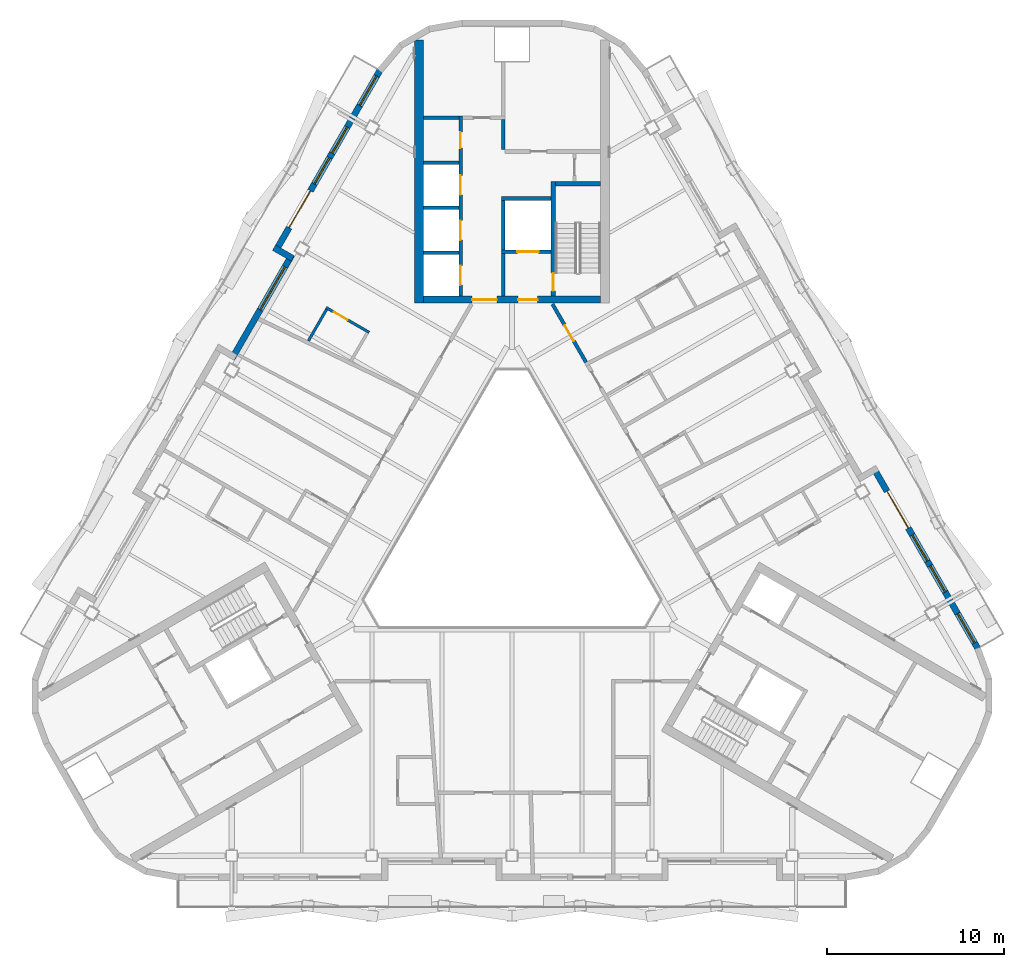
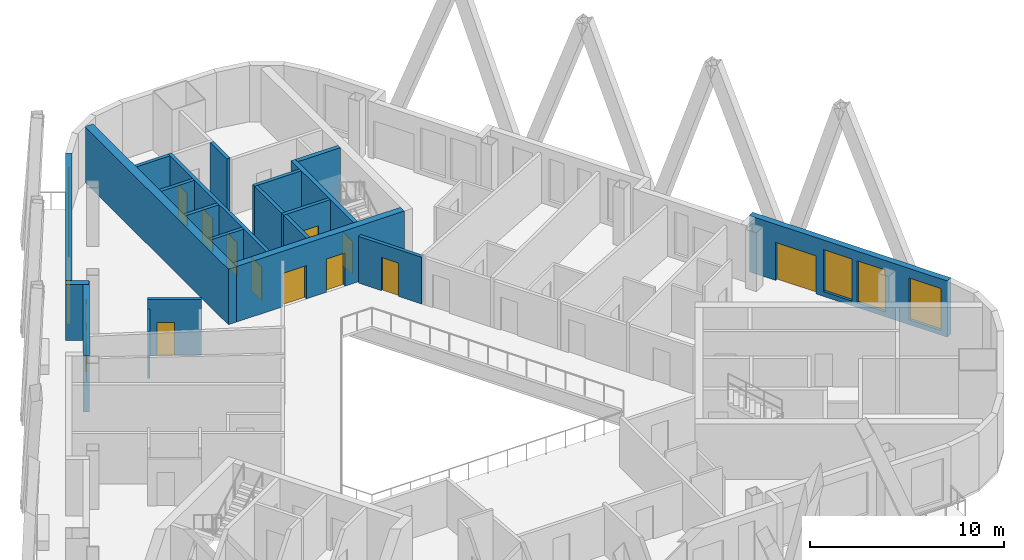
# One storey, part 9 of 18: 21 walls, 12 doors, 7 windows, 19 openings.
"""IFC4 building model written with IfcOpenShell, lengths in metres."""

import ifcopenshell
import ifcopenshell.guid

model = None  # the IFC model being written
_history = None  # IfcOwnerHistory: only IFC2X3 demands one
_inside = {}  # id of a spatial element -> (the spatial element, [elements in it])
_under = {}  # id of a project, library or spatial element -> (it, [spatial elements below it])
_declared = {}  # id of a project -> (the project, [libraries it declares])
_typed = {}  # id of a type object -> (the type object, [elements of that type])
_made_of = {}  # id of a material, layer set ... -> (it, [elements and type objects made of it])


def new_model(schema):
    """Start an empty IFC model of exactly this schema.

    Asked for "IFC4X3", IfcOpenShell would pick the latest addendum, in which some entities
    have other attributes; the version numbers below select the first issue.
    IFC2X3 requires an IfcOwnerHistory on every rooted entity: one is made here for all.
    """
    global model, _history
    if schema == "IFC4X3":
        model = ifcopenshell.file(schema_version=(4, 3, 0, 0))
    else:
        model = ifcopenshell.file(schema=schema)
    _inside.clear()
    _under.clear()
    _declared.clear()
    _typed.clear()
    _made_of.clear()
    _history = None
    if model.schema == "IFC2X3":
        org = make("IfcOrganization", Name="unknown")
        user = make(
            "IfcPersonAndOrganization",
            ThePerson=make("IfcPerson", FamilyName="unknown"),
            TheOrganization=org,
        )
        app = make(
            "IfcApplication",
            ApplicationDeveloper=org,
            Version="unknown",
            ApplicationFullName="unknown",
            ApplicationIdentifier="unknown",
        )
        _history = make(
            "IfcOwnerHistory",
            OwningUser=user,
            OwningApplication=app,
            ChangeAction="ADDED",
            CreationDate=0,
        )
    return model


def make(cls, **values):
    """One entity of the class cls with the attributes given. An attribute that is None is left unset."""
    return model.create_entity(
        cls, **{name: value for name, value in values.items() if value is not None}
    )


def rooted(cls, **values):
    """An entity with a GlobalId (a new one), such as an element, a storey or a relation."""
    return make(cls, GlobalId=ifcopenshell.guid.new(), OwnerHistory=_history, **values)


def si_unit(unit_type, name, prefix=None):
    """IfcSIUnit, for example si_unit("LENGTHUNIT", "METRE", prefix="MILLI")."""
    return make("IfcSIUnit", UnitType=unit_type, Prefix=prefix, Name=name)


def assignment(units):
    """IfcUnitAssignment: the units of a project."""
    return None if units is None else make("IfcUnitAssignment", Units=units)


def point(xyz):
    """IfcCartesianPoint."""
    return None if xyz is None else make("IfcCartesianPoint", Coordinates=xyz)


def direction(xyz):
    """IfcDirection."""
    return None if xyz is None else make("IfcDirection", DirectionRatios=xyz)


def frame(location, z_axis=None, x_axis=None):
    """IfcAxis2Placement3D, a coordinate frame: its origin and axes. An axis left out is left unset."""
    return make(
        "IfcAxis2Placement3D",
        Location=point(location),
        Axis=direction(z_axis),
        RefDirection=direction(x_axis),
    )


def frame_2d(location, x_axis=None):
    """IfcAxis2Placement2D, a coordinate frame in the plane: its origin and x axis."""
    return make(
        "IfcAxis2Placement2D", Location=point(location), RefDirection=direction(x_axis)
    )


def origin():
    """The frame at (0, 0, 0) with its axes left unset."""
    return frame((0.0, 0.0, 0.0))


def place(relative_to, where):
    """IfcLocalPlacement: puts the frame where relative to a parent placement (None: the world)."""
    return make(
        "IfcLocalPlacement", PlacementRelTo=relative_to, RelativePlacement=where
    )


def context(
    kind, dimensions, precision=None, world=None, true_north=None, identifier=None
):
    """IfcGeometricRepresentationContext, for example the 3D "Model" context."""
    return make(
        "IfcGeometricRepresentationContext",
        ContextIdentifier=identifier,
        ContextType=kind,
        CoordinateSpaceDimension=dimensions,
        Precision=precision,
        WorldCoordinateSystem=world,
        TrueNorth=true_north,
    )


def subcontext(parent, identifier, kind, view, scale=None):
    """IfcGeometricRepresentationSubContext, for example "Body" below "Model"."""
    return make(
        "IfcGeometricRepresentationSubContext",
        ContextIdentifier=identifier,
        ContextType=kind,
        ParentContext=parent,
        TargetScale=scale,
        TargetView=view,
    )


def project(units=None, contexts=None):
    """IfcProject with its units and contexts."""
    return rooted(
        "IfcProject",
        Name="project",
        RepresentationContexts=contexts,
        UnitsInContext=assignment(units),
    )


def spatial(cls, under=None, at=None, **own):
    """A site, building, storey or space (cls), placed at a placement, below another one or the project."""
    s = rooted(cls, ObjectPlacement=at, **own)
    if under is not None:
        _under.setdefault(under.id(), (under, []))[1].append(s)
    return s


def profile(cls, at=None, kind="AREA", **sizes):
    """A parametric profile (cls). Its sizes go by their IFC names, for example OverallWidth=200.0."""
    return make(cls, ProfileType=kind, Position=at, **sizes)


def rectangle(**sizes):
    """IfcRectangleProfileDef."""
    return profile("IfcRectangleProfileDef", **sizes)


def extrude(swept, where, along, depth):
    """IfcExtrudedAreaSolid: the profile swept, set in the frame where, extruded along a direction by depth."""
    return make(
        "IfcExtrudedAreaSolid",
        SweptArea=swept,
        Position=where,
        ExtrudedDirection=direction(along),
        Depth=depth,
    )


def shape(context_of_items, identifier, shape_type, items):
    """IfcShapeRepresentation: the items that make up one representation, for example the "Body"."""
    return make(
        "IfcShapeRepresentation",
        ContextOfItems=context_of_items,
        RepresentationIdentifier=identifier,
        RepresentationType=shape_type,
        Items=items,
    )


def material(Name=None, Category=None):
    """IfcMaterial."""
    return make("IfcMaterial", Name=Name, Category=Category)


def layer(
    of_material, thickness, ventilated=None, Name=None, Category=None, Priority=None
):
    """IfcMaterialLayer: one layer of a wall or slab, of a material (None: an air gap)."""
    return make(
        "IfcMaterialLayer",
        Material=of_material,
        LayerThickness=thickness,
        IsVentilated=ventilated,
        Name=Name,
        Category=Category,
        Priority=Priority,
    )


def layer_set(layers, Name=None):
    """IfcMaterialLayerSet."""
    return make("IfcMaterialLayerSet", MaterialLayers=layers, LayerSetName=Name)


def made_of(thing, what):
    """Note that an element or type object is made of a material, layer set ...; save() writes the relation."""
    if what is not None:
        _made_of.setdefault(what.id(), (what, []))[1].append(thing)
    return thing


def type_object(cls, material=None, **own):
    """A type object (cls), such as IfcWallType, which elements share."""
    return made_of(rooted(cls, **own), material)


def element(
    cls,
    number,
    at=None,
    inside=None,
    cuts=None,
    type_object=None,
    material=None,
    context=None,
    identifier="Body",
    shape_type=None,
    held_by="IfcProductDefinitionShape",
    body=None,
    shapes=None,
    **own,
):
    """One element of the class cls, such as IfcWall. Its Tag is "e" and its number.

    at: its placement. inside: the storey or other place that contains it. cuts: it is an
    opening in that element (IfcRelVoidsElement). A single representation is given by context,
    identifier, shape_type and body (its items); several are given by shapes. held_by: the class
    of the entity that holds the representations. save() writes the other relations.
    """
    e = rooted(cls, Tag="e%d" % number, ObjectPlacement=at, **own)
    if body is not None:
        shapes = [shape(context, identifier, shape_type, body)]
    if shapes is not None:
        e.Representation = make(held_by, Representations=shapes)
    if inside is not None:
        _inside.setdefault(inside.id(), (inside, []))[1].append(e)
    if cuts is not None:
        rooted(
            "IfcRelVoidsElement", RelatingBuildingElement=cuts, RelatedOpeningElement=e
        )
    if type_object is not None:
        _typed.setdefault(type_object.id(), (type_object, []))[1].append(e)
    return made_of(e, material)


def fill(opening, filler):
    """IfcRelFillsElement: the door or window that sits in an opening."""
    return rooted(
        "IfcRelFillsElement",
        RelatingOpeningElement=opening,
        RelatedBuildingElement=filler,
    )


def aggregate(whole, parts):
    """IfcRelAggregates: a whole, such as a stair, and the parts it consists of."""
    return rooted("IfcRelAggregates", RelatingObject=whole, RelatedObjects=parts)


def save(model, path):
    """Write the relations noted so far, then the file.

    IfcRelAggregates (storeys below a building ...), IfcRelContainedInSpatialStructure (elements
    in a storey), IfcRelDefinesByType, IfcRelAssociatesMaterial and IfcRelDeclares: one each for
    every whole, place, type object, material and project.
    """
    for whole, parts in _under.values():
        aggregate(whole, parts)
    for where, things in _inside.values():
        rooted(
            "IfcRelContainedInSpatialStructure",
            RelatedElements=things,
            RelatingStructure=where,
        )
    for kind, things in _typed.values():
        rooted("IfcRelDefinesByType", RelatedObjects=things, RelatingType=kind)
    for what, things in _made_of.values():
        rooted("IfcRelAssociatesMaterial", RelatedObjects=things, RelatingMaterial=what)
    for by, libraries in _declared.values():
        rooted("IfcRelDeclares", RelatingContext=by, RelatedDefinitions=libraries)
    model.write(path)


model = new_model("IFC4")

# Units and contexts
model_context = context("Model", 3, precision=1e-05, world=origin(), true_north=direction((0.0, 1.0)))
body_context = subcontext(model_context, "Body", "Model", "MODEL_VIEW")
ifc_project = project(units=[si_unit("LENGTHUNIT", "METRE"), si_unit("AREAUNIT", "SQUARE_METRE"), si_unit("VOLUMEUNIT", "CUBIC_METRE"), si_unit("PLANEANGLEUNIT", "RADIAN"), si_unit("MASSUNIT", "GRAM", prefix="KILO")], contexts=[model_context])

# Site, building, storey
site_placement = place(None, origin())
site = spatial("IfcSite", under=ifc_project, at=site_placement, CompositionType="ELEMENT")
building_placement = place(site_placement, origin())
building = spatial("IfcBuilding", under=site, at=building_placement, Name="Apuvela Tower Hotel", CompositionType="ELEMENT")
storey_placement = place(building_placement, frame((0.0, 0.0, 246.699951171875)))
storey = spatial("IfcBuildingStorey", under=building, at=storey_placement, Name="L60", CompositionType="ELEMENT", Elevation=246.699951171875)

# Wall, openings, doors
ifc_material_1 = material(Name="Concrete C50/60", Category="concrete")
ifc_layer_1 = layer(ifc_material_1, 0.39990234375)
ifc_layer_set_1 = layer_set([ifc_layer_1], Name="COR-WALL-CORE-400")
wall_type_1 = type_object("IfcWallType", Name="COR-WALL-CORE-400", PredefinedType="SHEAR", material=ifc_layer_set_1)
wall_1_placement = place(storey_placement, frame((5.0, 13.10009765625, 0.0), z_axis=(0.0, 0.0, 1.0), x_axis=(-1.0, 0.0, 0.0)))
wall_1 = element("IfcWall", 1, at=wall_1_placement, inside=storey, type_object=wall_type_1, Name="Core wall N", PredefinedType="SHEAR", context=body_context, shape_type="SweptSolid", body=[
    extrude(rectangle(XDim=10.0, YDim=0.39990234375, at=frame_2d((5.0, 0.0))), origin(), (0.0, 0.0, 1.0), 3.5),
])
opening_1_placement = place(wall_1_placement, frame((3.550048828125, 0.0, 0.0)))
opening_1 = element("IfcOpeningElement", 2, at=opening_1_placement, cuts=wall_1, Name="Opening N-FD", PredefinedType="OPENING", context=body_context, shape_type="SweptSolid", body=[
    extrude(rectangle(XDim=1.10009765625, YDim=2.10009765625, at=frame_2d((0.550048828125, 1.050048828125))), frame((0.0, 0.2099609375, 0.0), z_axis=(0.0, -1.0, 0.0), x_axis=(1.0, 0.0, 0.0)), (0.0, 0.0, 1.0), 0.419921875),
])
opening_2_placement = place(wall_1_placement, frame((5.85009765625, 0.0, 0.0)))
opening_2 = element("IfcOpeningElement", 3, at=opening_2_placement, cuts=wall_1, Name="Opening N-GD", PredefinedType="OPENING", context=body_context, shape_type="SweptSolid", body=[
    extrude(rectangle(XDim=1.39990234375, YDim=2.10009765625, at=frame_2d((0.699951171875, 1.050048828125))), frame((0.0, 0.2099609375, 0.0), z_axis=(0.0, -1.0, 0.0), x_axis=(1.0, 0.0, 0.0)), (0.0, 0.0, 1.0), 0.419921875),
])
ifc_material_2 = material(Name="Steel fire door, powder coated", Category="steel")
door_type_1 = type_object("IfcDoorType", Name="COR-FD-1100", OperationType="NOTDEFINED", PredefinedType="DOOR", material=ifc_material_2)
door_1_placement = place(opening_1_placement, frame((1.10009765625, 0.0, 0.0), z_axis=(0.0, 0.0, 1.0), x_axis=(-1.0, 0.0, 0.0)))
door_1 = element("IfcDoor", 4, at=door_1_placement, inside=storey, type_object=door_type_1, Name="Firefighting lobby door N-FD", OperationType="SINGLE_SWING_LEFT", OverallHeight=2.10009765625, OverallWidth=1.10009765625, PredefinedType="DOOR", context=body_context, shape_type="SweptSolid", body=[
    extrude(rectangle(XDim=1.10009765625, YDim=2.10009765625, at=frame_2d((0.550048828125, 1.050048828125))), frame((0.0, 0.02490234375, 0.0), z_axis=(0.0, -1.0, 0.0), x_axis=(1.0, 0.0, 0.0)), (0.0, 0.0, 1.0), 0.050048828125),
])
fill(opening_1, door_1)
ifc_material_3 = material(Name="Glazed steel fire door", Category="steel")
door_type_2 = type_object("IfcDoorType", Name="COR-GD-1400", OperationType="DOUBLE_DOOR_SINGLE_SWING", PredefinedType="DOOR", material=ifc_material_3)
door_2_placement = place(opening_2_placement, frame((1.39990234375, 0.0, 0.0), z_axis=(0.0, 0.0, 1.0), x_axis=(-1.0, 0.0, 0.0)))
door_2 = element("IfcDoor", 5, at=door_2_placement, inside=storey, type_object=door_type_2, Name="Lift lobby door N-GD", OperationType="DOUBLE_DOOR_SINGLE_SWING", OverallHeight=2.10009765625, OverallWidth=1.39990234375, PredefinedType="DOOR", context=body_context, shape_type="SweptSolid", body=[
    extrude(rectangle(XDim=1.39990234375, YDim=2.10009765625, at=frame_2d((0.699951171875, 1.050048828125))), frame((0.0, 0.02490234375, 0.0), z_axis=(0.0, -1.0, 0.0), x_axis=(1.0, 0.0, 0.0)), (0.0, 0.0, 1.0), 0.050048828125),
])
fill(opening_2, door_2)

# Walls
ifc_layer_2 = layer(ifc_material_1, 0.5)
ifc_layer_set_2 = layer_set([ifc_layer_2], Name="COR-WALL-CORE-500")
wall_type_2 = type_object("IfcWallType", Name="COR-WALL-CORE-500", PredefinedType="SHEAR", material=ifc_layer_set_2)
wall_2_placement = place(storey_placement, frame((-5.25, 12.89990234375, 0.0), z_axis=(0.0, 0.0, 1.0), x_axis=(0.0, 1.0, 0.0)))
element("IfcWall", 6, at=wall_2_placement, inside=storey, type_object=wall_type_2, Name="Core wall N", PredefinedType="SHEAR", context=body_context, shape_type="SweptSolid", body=[
    extrude(rectangle(XDim=14.8369140625, YDim=0.5, at=frame_2d((7.41845703125, 0.0))), origin(), (0.0, 0.0, 1.0), 3.5),
])
ifc_layer_3 = layer(ifc_material_1, 0.199951171875)
ifc_layer_set_3 = layer_set([ifc_layer_3], Name="COR-WALL-SHAFT-200")
wall_type_3 = type_object("IfcWallType", Name="COR-WALL-SHAFT-200", PredefinedType="SHEAR", material=ifc_layer_set_3)
wall_3_placement = place(storey_placement, frame((2.199951171875, 18.800048828125, 0.0), z_axis=(0.0, 0.0, 1.0), x_axis=(-1.0, 0.0, 0.0)))
element("IfcWall", 7, at=wall_3_placement, inside=storey, type_object=wall_type_3, Name="Shaft wall N", PredefinedType="SHEAR", context=body_context, shape_type="SweptSolid", body=[
    extrude(rectangle(XDim=2.800048828125, YDim=0.199951171875, at=frame_2d((1.39990234375, 0.0))), origin(), (0.0, 0.0, 1.0), 3.5),
])

# Wall, opening, door
wall_4_placement = place(storey_placement, frame((2.199951171875, 15.800048828125, 0.0), z_axis=(0.0, 0.0, 1.0), x_axis=(-1.0, 0.0, 0.0)))
wall_4 = element("IfcWall", 8, at=wall_4_placement, inside=storey, type_object=wall_type_3, Name="Shaft wall N", PredefinedType="SHEAR", context=body_context, shape_type="SweptSolid", body=[
    extrude(rectangle(XDim=2.800048828125, YDim=0.199951171875, at=frame_2d((1.39990234375, 0.0))), origin(), (0.0, 0.0, 1.0), 3.5),
])
opening_3_placement = place(wall_4_placement, frame((0.699951171875, 0.0, 0.0)))
opening_3 = element("IfcOpeningElement", 9, at=opening_3_placement, cuts=wall_4, Name="Opening N-LD-FS1", PredefinedType="OPENING", context=body_context, shape_type="SweptSolid", body=[
    extrude(rectangle(XDim=1.199951171875, YDim=2.10009765625, at=frame_2d((0.60009765625, 1.050048828125))), frame((0.0, 0.10986328125, 0.0), z_axis=(0.0, -1.0, 0.0), x_axis=(1.0, 0.0, 0.0)), (0.0, 0.0, 1.0), 0.219970703125),
])
ifc_material_4 = material(Name="Stainless steel lift landing door", Category="steel")
door_type_3 = type_object("IfcDoorType", Name="COR-LD-1200", OperationType="DOUBLE_DOOR_SLIDING", PredefinedType="DOOR", material=ifc_material_4)
door_3_placement = place(opening_3_placement, origin())
door_3 = element("IfcDoor", 10, at=door_3_placement, inside=storey, type_object=door_type_3, Name="Lift landing door N-LD-FS1", OperationType="DOUBLE_DOOR_SLIDING", OverallHeight=2.10009765625, OverallWidth=1.199951171875, PredefinedType="DOOR", context=body_context, shape_type="SweptSolid", body=[
    extrude(rectangle(XDim=1.199951171875, YDim=2.10009765625, at=frame_2d((0.60009765625, 1.050048828125))), frame((0.0, 0.02490234375, 0.0), z_axis=(0.0, -1.0, 0.0), x_axis=(1.0, 0.0, 0.0)), (0.0, 0.0, 1.0), 0.050048828125),
])
fill(opening_3, door_3)

# Walls
wall_5_placement = place(storey_placement, frame((-0.5, 15.89990234375, 0.0), z_axis=(0.0, 0.0, 1.0), x_axis=(0.0, 1.0, 0.0)))
element("IfcWall", 11, at=wall_5_placement, inside=storey, type_object=wall_type_3, Name="Shaft wall N", PredefinedType="SHEAR", context=body_context, shape_type="SweptSolid", body=[
    extrude(rectangle(XDim=2.800048828125, YDim=0.199951171875, at=frame_2d((1.39990234375, 0.0))), origin(), (0.0, 0.0, 1.0), 3.5),
])
wall_6_placement = place(storey_placement, frame((-0.5, 13.300048828125, 0.0), z_axis=(0.0, 0.0, 1.0), x_axis=(0.0, 1.0, 0.0)))
element("IfcWall", 12, at=wall_6_placement, inside=storey, type_object=wall_type_3, Name="Shaft wall N", PredefinedType="SHEAR", context=body_context, shape_type="SweptSolid", body=[
    extrude(rectangle(XDim=2.39990234375, YDim=0.199951171875, at=frame_2d((1.199951171875, 0.0))), origin(), (0.0, 0.0, 1.0), 3.5),
])

# Wall, openings, doors
wall_7_placement = place(storey_placement, frame((-2.89990234375, 13.300048828125, 0.0), z_axis=(0.0, 0.0, 1.0), x_axis=(0.0, 1.0, 0.0)))
wall_7 = element("IfcWall", 13, at=wall_7_placement, inside=storey, type_object=wall_type_3, Name="Shaft wall N", PredefinedType="SHEAR", context=body_context, shape_type="SweptSolid", body=[
    extrude(rectangle(XDim=10.159912109375, YDim=0.199951171875, at=frame_2d((5.080078125, 0.0))), origin(), (0.0, 0.0, 1.0), 3.5),
])
opening_4_placement = place(wall_7_placement, frame((0.6201171875, 0.0, 0.0)))
opening_4 = element("IfcOpeningElement", 14, at=opening_4_placement, cuts=wall_7, Name="Opening N-LD-HR1", PredefinedType="OPENING", context=body_context, shape_type="SweptSolid", body=[
    extrude(rectangle(XDim=1.10009765625, YDim=2.10009765625, at=frame_2d((0.550048828125, 1.050048828125))), frame((0.0, 0.10986328125, 0.0), z_axis=(0.0, -1.0, 0.0), x_axis=(1.0, 0.0, 0.0)), (0.0, 0.0, 1.0), 0.219970703125),
])
opening_5_placement = place(wall_7_placement, frame((3.159912109375, 0.0, 0.0)))
opening_5 = element("IfcOpeningElement", 15, at=opening_5_placement, cuts=wall_7, Name="Opening N-LD-HR2", PredefinedType="OPENING", context=body_context, shape_type="SweptSolid", body=[
    extrude(rectangle(XDim=1.10009765625, YDim=2.10009765625, at=frame_2d((0.550048828125, 1.050048828125))), frame((0.0, 0.10986328125, 0.0), z_axis=(0.0, -1.0, 0.0), x_axis=(1.0, 0.0, 0.0)), (0.0, 0.0, 1.0), 0.219970703125),
])
opening_6_placement = place(wall_7_placement, frame((5.699951171875, 0.0, 0.0)))
opening_6 = element("IfcOpeningElement", 16, at=opening_6_placement, cuts=wall_7, Name="Opening N-LD-HR4", PredefinedType="OPENING", context=body_context, shape_type="SweptSolid", body=[
    extrude(rectangle(XDim=1.10009765625, YDim=2.10009765625, at=frame_2d((0.550048828125, 1.050048828125))), frame((0.0, 0.10986328125, 0.0), z_axis=(0.0, -1.0, 0.0), x_axis=(1.0, 0.0, 0.0)), (0.0, 0.0, 1.0), 0.219970703125),
])
opening_7_placement = place(wall_7_placement, frame((8.340087890625, 0.0, 0.0)))
opening_7 = element("IfcOpeningElement", 17, at=opening_7_placement, cuts=wall_7, Name="Opening N-RE4", PredefinedType="OPENING", context=body_context, shape_type="SweptSolid", body=[
    extrude(rectangle(XDim=0.89990234375, YDim=2.10009765625, at=frame_2d((0.449951171875, 1.050048828125))), frame((0.0, 0.10986328125, 0.0), z_axis=(0.0, -1.0, 0.0), x_axis=(1.0, 0.0, 0.0)), (0.0, 0.0, 1.0), 0.219970703125),
])
door_type_4 = type_object("IfcDoorType", Name="COR-DR-900", OperationType="NOTDEFINED", PredefinedType="DOOR", material=ifc_material_2)
door_4_placement = place(opening_7_placement, origin())
door_4 = element("IfcDoor", 18, at=door_4_placement, inside=storey, type_object=door_type_4, Name="Store door N-RE4", OperationType="SINGLE_SWING_LEFT", OverallHeight=2.10009765625, OverallWidth=0.89990234375, PredefinedType="DOOR", context=body_context, shape_type="SweptSolid", body=[
    extrude(rectangle(XDim=0.89990234375, YDim=2.10009765625, at=frame_2d((0.449951171875, 1.050048828125))), frame((0.0, 0.02490234375, 0.0), z_axis=(0.0, -1.0, 0.0), x_axis=(1.0, 0.0, 0.0)), (0.0, 0.0, 1.0), 0.050048828125),
])
fill(opening_7, door_4)
door_type_5 = type_object("IfcDoorType", Name="COR-LD-1100", OperationType="DOUBLE_DOOR_SLIDING", PredefinedType="DOOR", material=ifc_material_4)
door_5_placement = place(opening_4_placement, origin())
door_5 = element("IfcDoor", 19, at=door_5_placement, inside=storey, type_object=door_type_5, Name="Lift landing door N-LD-HR1", OperationType="DOUBLE_DOOR_SLIDING", OverallHeight=2.10009765625, OverallWidth=1.10009765625, PredefinedType="DOOR", context=body_context, shape_type="SweptSolid", body=[
    extrude(rectangle(XDim=1.10009765625, YDim=2.10009765625, at=frame_2d((0.550048828125, 1.050048828125))), frame((0.0, 0.02490234375, 0.0), z_axis=(0.0, -1.0, 0.0), x_axis=(1.0, 0.0, 0.0)), (0.0, 0.0, 1.0), 0.050048828125),
])
fill(opening_4, door_5)
door_6_placement = place(opening_5_placement, origin())
door_6 = element("IfcDoor", 20, at=door_6_placement, inside=storey, type_object=door_type_5, Name="Lift landing door N-LD-HR2", OperationType="DOUBLE_DOOR_SLIDING", OverallHeight=2.10009765625, OverallWidth=1.10009765625, PredefinedType="DOOR", context=body_context, shape_type="SweptSolid", body=[
    extrude(rectangle(XDim=1.10009765625, YDim=2.10009765625, at=frame_2d((0.550048828125, 1.050048828125))), frame((0.0, 0.02490234375, 0.0), z_axis=(0.0, -1.0, 0.0), x_axis=(1.0, 0.0, 0.0)), (0.0, 0.0, 1.0), 0.050048828125),
])
fill(opening_5, door_6)
door_7_placement = place(opening_6_placement, origin())
door_7 = element("IfcDoor", 21, at=door_7_placement, inside=storey, type_object=door_type_5, Name="Lift landing door N-LD-HR4", OperationType="DOUBLE_DOOR_SLIDING", OverallHeight=2.10009765625, OverallWidth=1.10009765625, PredefinedType="DOOR", context=body_context, shape_type="SweptSolid", body=[
    extrude(rectangle(XDim=1.10009765625, YDim=2.10009765625, at=frame_2d((0.550048828125, 1.050048828125))), frame((0.0, 0.02490234375, 0.0), z_axis=(0.0, -1.0, 0.0), x_axis=(1.0, 0.0, 0.0)), (0.0, 0.0, 1.0), 0.050048828125),
])
fill(opening_6, door_7)

# Walls
wall_8_placement = place(storey_placement, frame((-0.5, 21.550048828125, 0.0), z_axis=(0.0, 0.0, 1.0), x_axis=(0.0, 1.0, 0.0)))
element("IfcWall", 22, at=wall_8_placement, inside=storey, type_object=wall_type_3, Name="Shaft wall N", PredefinedType="SHEAR", context=body_context, shape_type="SweptSolid", body=[
    extrude(rectangle(XDim=1.7099609375, YDim=0.199951171875, at=frame_2d((0.85498046875, 0.0))), origin(), (0.0, 0.0, 1.0), 3.5),
])
for number, where, z_axis, x_axis, name in (
    (23, (-3.0, 15.739990234375, 0.0), (0.0, 0.0, 1.0), (-1.0, 0.0, 0.0), "Shaft wall N"),
    (24, (-3.0, 18.280029296875, 0.0), (0.0, 0.0, 1.0), (-1.0, 0.0, 0.0), "Shaft wall N"),
    (25, (-3.0, 20.820068359375, 0.0), (0.0, 0.0, 1.0), (-1.0, 0.0, 0.0), "Shaft wall N"),
    (26, (-3.0, 23.360107421875, 0.0), (0.0, 0.0, 1.0), (-1.0, 0.0, 0.0), "Shaft wall N"),
):
    element("IfcWall", number, at=place(storey_placement, frame(where, z_axis=z_axis, x_axis=x_axis)), inside=storey, type_object=wall_type_3, Name=name, PredefinedType="SHEAR", context=body_context, shape_type="SweptSolid", body=[
        extrude(rectangle(XDim=2.0, YDim=0.199951171875, at=frame_2d((1.0, 0.0))), origin(), (0.0, 0.0, 1.0), 3.5),
    ])

# Wall, opening, door
ifc_layer_4 = layer(ifc_material_1, 0.25)
ifc_layer_set_4 = layer_set([ifc_layer_4], Name="COR-WALL-STAIR-250")
wall_type_4 = type_object("IfcWallType", Name="COR-WALL-STAIR-250", PredefinedType="SHEAR", material=ifc_layer_set_4)
wall_9_placement = place(storey_placement, frame((2.324951171875, 13.300048828125, 0.0), z_axis=(0.0, 0.0, 1.0), x_axis=(0.0, 1.0, 0.0)))
wall_9 = element("IfcWall", 27, at=wall_9_placement, inside=storey, type_object=wall_type_4, Name="Stair wall N", PredefinedType="SHEAR", context=body_context, shape_type="SweptSolid", body=[
    extrude(rectangle(XDim=6.449951171875, YDim=0.25, at=frame_2d((3.22509765625, 0.0))), origin(), (0.0, 0.0, 1.0), 3.5),
])
opening_8_placement = place(wall_9_placement, frame((0.300048828125, 0.0, 0.0)))
opening_8 = element("IfcOpeningElement", 28, at=opening_8_placement, cuts=wall_9, Name="Opening N-SD", PredefinedType="OPENING", context=body_context, shape_type="SweptSolid", body=[
    extrude(rectangle(XDim=1.0, YDim=2.10009765625, at=frame_2d((0.5, 1.050048828125))), frame((0.0, 0.135009765625, 0.0), z_axis=(0.0, -1.0, 0.0), x_axis=(1.0, 0.0, 0.0)), (0.0, 0.0, 1.0), 0.27001953125),
])
door_type_6 = type_object("IfcDoorType", Name="COR-SD-1000", OperationType="NOTDEFINED", PredefinedType="DOOR", material=ifc_material_2)
door_8_placement = place(opening_8_placement, frame((1.0, 0.0, 0.0), z_axis=(0.0, 0.0, 1.0), x_axis=(-1.0, 0.0, 0.0)))
door_8 = element("IfcDoor", 29, at=door_8_placement, inside=storey, type_object=door_type_6, Name="Stair door N-SD", OperationType="SINGLE_SWING_LEFT", OverallHeight=2.10009765625, OverallWidth=1.0, PredefinedType="DOOR", context=body_context, shape_type="SweptSolid", body=[
    extrude(rectangle(XDim=1.0, YDim=2.10009765625, at=frame_2d((0.5, 1.050048828125))), frame((0.0, 0.02490234375, 0.0), z_axis=(0.0, -1.0, 0.0), x_axis=(1.0, 0.0, 0.0)), (0.0, 0.0, 1.0), 0.050048828125),
])
fill(opening_8, door_8)

# Wall
wall_10_placement = place(storey_placement, frame((5.0, 19.625, 0.0), z_axis=(0.0, 0.0, 1.0), x_axis=(-1.0, 0.0, 0.0)))
element("IfcWall", 30, at=wall_10_placement, inside=storey, type_object=wall_type_4, Name="Stair wall N", PredefinedType="SHEAR", context=body_context, shape_type="SweptSolid", body=[
    extrude(rectangle(XDim=2.550048828125, YDim=0.25, at=frame_2d((1.27490234375, 0.0))), origin(), (0.0, 0.0, 1.0), 3.5),
])

# Wall, openings, door, windows
ifc_material_5 = material(Name="Concrete C40/50, dark pigmented precast panel", Category="concrete")
ifc_layer_5 = layer(ifc_material_5, 0.35009765625)
ifc_layer_set_5 = layer_set([ifc_layer_5], Name="ENV-WALL-350")
wall_type_5 = type_object("IfcWallType", Name="ENV-WALL-350", PredefinedType="SOLIDWALL", material=ifc_layer_set_5)
wall_11_placement = place(storey_placement, frame((-7.440673828125, 26.0224609375, 0.0), z_axis=(0.0, 0.0, 1.0), x_axis=(-0.499992533062, -0.86602971478, 0.0)))
wall_11 = element("IfcWall", 31, at=wall_11_placement, inside=storey, type_object=wall_type_5, Name="External wall L60-01", PredefinedType="SOLIDWALL", context=body_context, shape_type="SweptSolid", body=[
    extrude(rectangle(XDim=11.815673828125, YDim=0.35009765625, at=frame_2d((5.90771484375, 0.0))), origin(), (0.0, 0.0, 1.0), 3.550048828125),
])
opening_9_placement = place(wall_11_placement, frame((0.381103515625, 0.0, 0.300048828125)))
opening_9 = element("IfcOpeningElement", 32, at=opening_9_placement, cuts=wall_11, Name="Opening WN19", PredefinedType="OPENING", context=body_context, shape_type="SweptSolid", body=[
    extrude(rectangle(XDim=1.89990234375, YDim=2.64990234375, at=frame_2d((0.949951171875, 1.324951171875))), frame((0.0, 0.18505859375, 0.0), z_axis=(0.0, -1.0, 0.0), x_axis=(1.0, 0.0, 0.0)), (0.0, 0.0, 1.0), 0.3701171875),
])
opening_10_placement = place(wall_11_placement, frame((7.8408203125, 0.0, 0.0)))
opening_10 = element("IfcOpeningElement", 33, at=opening_10_placement, cuts=wall_11, Name="Opening BD24", PredefinedType="OPENING", context=body_context, shape_type="SweptSolid", body=[
    extrude(rectangle(XDim=2.39990234375, YDim=2.39990234375, at=frame_2d((1.199951171875, 1.199951171875))), frame((0.0, 0.18505859375, 0.0), z_axis=(0.0, -1.0, 0.0), x_axis=(1.0, 0.0, 0.0)), (0.0, 0.0, 1.0), 0.3701171875),
])
opening_11_placement = place(wall_11_placement, frame((3.690185546875, 0.0, 0.300048828125)))
opening_11 = element("IfcOpeningElement", 34, at=opening_11_placement, cuts=wall_11, Name="Opening WN17", PredefinedType="OPENING", context=body_context, shape_type="SweptSolid", body=[
    extrude(rectangle(XDim=1.699951171875, YDim=2.64990234375, at=frame_2d((0.85009765625, 1.324951171875))), frame((0.0, 0.18505859375, 0.0), z_axis=(0.0, -1.0, 0.0), x_axis=(1.0, 0.0, 0.0)), (0.0, 0.0, 1.0), 0.3701171875),
])
opening_12_placement = place(wall_11_placement, frame((5.690185546875, 0.0, 0.300048828125)))
opening_12 = element("IfcOpeningElement", 35, at=opening_12_placement, cuts=wall_11, Name="Opening WN17", PredefinedType="OPENING", context=body_context, shape_type="SweptSolid", body=[
    extrude(rectangle(XDim=1.699951171875, YDim=2.64990234375, at=frame_2d((0.85009765625, 1.324951171875))), frame((0.0, 0.18505859375, 0.0), z_axis=(0.0, -1.0, 0.0), x_axis=(1.0, 0.0, 0.0)), (0.0, 0.0, 1.0), 0.3701171875),
])
ifc_material_6 = material(Name="Aluminium 6063-T6, dark bronze anodised frame with dark tinted laminated glass", Category="aluminium")
door_type_7 = type_object("IfcDoorType", Name="ENV-DOOR-BALCONY-2400x2400", OperationType="SLIDING_TO_LEFT", PredefinedType="DOOR", material=ifc_material_6)
door_9_placement = place(opening_10_placement, frame((2.39990234375, 0.0, 0.0), z_axis=(0.0, 0.0, 1.0), x_axis=(-1.0, 0.0, 0.0)))
door_9 = element("IfcDoor", 36, at=door_9_placement, inside=storey, type_object=door_type_7, Name="Balcony door BD24", OperationType="SLIDING_TO_LEFT", OverallHeight=2.39990234375, OverallWidth=2.39990234375, PredefinedType="DOOR", context=body_context, shape_type="SweptSolid", body=[
    extrude(rectangle(XDim=2.39990234375, YDim=2.39990234375, at=frame_2d((1.199951171875, 1.199951171875))), frame((0.0, 0.02490234375, 0.0), z_axis=(0.0, -1.0, 0.0), x_axis=(1.0, 0.0, 0.0)), (0.0, 0.0, 1.0), 0.050048828125),
])
fill(opening_10, door_9)
ifc_material_7 = material(Name="Glass, dark tinted laminated insulated glazing unit", Category="glass")
window_type_1 = type_object("IfcWindowType", Name="ENV-WIN-1700x2650", PartitioningType="SINGLE_PANEL", PredefinedType="WINDOW", material=ifc_material_7)
window_1_placement = place(opening_11_placement, origin())
window_1 = element("IfcWindow", 37, at=window_1_placement, inside=storey, type_object=window_type_1, Name="Window WN17", OverallHeight=2.64990234375, OverallWidth=1.699951171875, PartitioningType="SINGLE_PANEL", PredefinedType="WINDOW", context=body_context, shape_type="SweptSolid", body=[
    extrude(rectangle(XDim=1.699951171875, YDim=2.64990234375, at=frame_2d((0.85009765625, 1.324951171875))), frame((0.0, 0.030029296875, 0.0), z_axis=(0.0, -1.0, 0.0), x_axis=(1.0, 0.0, 0.0)), (0.0, 0.0, 1.0), 0.06005859375),
])
fill(opening_11, window_1)
window_2_placement = place(opening_12_placement, origin())
window_2 = element("IfcWindow", 38, at=window_2_placement, inside=storey, type_object=window_type_1, Name="Window WN17", OverallHeight=2.64990234375, OverallWidth=1.699951171875, PartitioningType="SINGLE_PANEL", PredefinedType="WINDOW", context=body_context, shape_type="SweptSolid", body=[
    extrude(rectangle(XDim=1.699951171875, YDim=2.64990234375, at=frame_2d((0.85009765625, 1.324951171875))), frame((0.0, 0.030029296875, 0.0), z_axis=(0.0, -1.0, 0.0), x_axis=(1.0, 0.0, 0.0)), (0.0, 0.0, 1.0), 0.06005859375),
])
fill(opening_12, window_2)
window_type_2 = type_object("IfcWindowType", Name="ENV-WIN-1900x2650", PartitioningType="SINGLE_PANEL", PredefinedType="WINDOW", material=ifc_material_7)
window_3_placement = place(opening_9_placement, origin())
window_3 = element("IfcWindow", 39, at=window_3_placement, inside=storey, type_object=window_type_2, Name="Window WN19", OverallHeight=2.64990234375, OverallWidth=1.89990234375, PartitioningType="SINGLE_PANEL", PredefinedType="WINDOW", context=body_context, shape_type="SweptSolid", body=[
    extrude(rectangle(XDim=1.89990234375, YDim=2.64990234375, at=frame_2d((0.949951171875, 1.324951171875))), frame((0.0, 0.030029296875, 0.0), z_axis=(0.0, -1.0, 0.0), x_axis=(1.0, 0.0, 0.0)), (0.0, 0.0, 1.0), 0.06005859375),
])
fill(opening_9, window_3)

# Wall
wall_12_placement = place(storey_placement, frame((-13.41259765625, 16.02880859375, 0.0), z_axis=(0.0, 0.0, 1.0), x_axis=(0.866005645448, -0.500034220881, 0.0)))
element("IfcWall", 40, at=wall_12_placement, inside=storey, type_object=wall_type_5, Name="External wall L60-02", PredefinedType="SOLIDWALL", context=body_context, shape_type="SweptSolid", body=[
    extrude(rectangle(XDim=1.22021484375, YDim=0.35009765625, at=frame_2d((0.610107421875, 0.0))), origin(), (0.0, 0.0, 1.0), 3.550048828125),
])

# Wall, opening, window
wall_13_placement = place(storey_placement, frame((-12.408935546875, 15.616943359375, 0.0), z_axis=(0.0, 0.0, 1.0), x_axis=(-0.500003597184, -0.866023326939, 0.0)))
wall_13 = element("IfcWall", 41, at=wall_13_placement, inside=storey, type_object=wall_type_5, Name="External wall L60-03", PredefinedType="SOLIDWALL", context=body_context, shape_type="SweptSolid", body=[
    extrude(rectangle(XDim=6.740234375, YDim=0.35009765625, at=frame_2d((3.3701171875, 0.0))), origin(), (0.0, 0.0, 1.0), 3.550048828125),
])
opening_13_placement = place(wall_13_placement, frame((0.77001953125, 0.0, 0.300048828125)))
opening_13 = element("IfcOpeningElement", 42, at=opening_13_placement, cuts=wall_13, Name="Opening WN28", PredefinedType="OPENING", context=body_context, shape_type="SweptSolid", body=[
    extrude(rectangle(XDim=2.800048828125, YDim=2.64990234375, at=frame_2d((1.39990234375, 1.324951171875))), frame((0.0, 0.18505859375, 0.0), z_axis=(0.0, -1.0, 0.0), x_axis=(1.0, 0.0, 0.0)), (0.0, 0.0, 1.0), 0.3701171875),
])
window_type_3 = type_object("IfcWindowType", Name="ENV-WIN-2800x2650", PartitioningType="SINGLE_PANEL", PredefinedType="WINDOW", material=ifc_material_7)
window_4_placement = place(opening_13_placement, origin())
window_4 = element("IfcWindow", 43, at=window_4_placement, inside=storey, type_object=window_type_3, Name="Window WN28", OverallHeight=2.64990234375, OverallWidth=2.800048828125, PartitioningType="SINGLE_PANEL", PredefinedType="WINDOW", context=body_context, shape_type="SweptSolid", body=[
    extrude(rectangle(XDim=2.800048828125, YDim=2.64990234375, at=frame_2d((1.39990234375, 1.324951171875))), frame((0.0, 0.030029296875, 0.0), z_axis=(0.0, -1.0, 0.0), x_axis=(1.0, 0.0, 0.0)), (0.0, 0.0, 1.0), 0.06005859375),
])
fill(opening_13, window_4)

# Wall, openings, door, windows
wall_14_placement = place(storey_placement, frame((26.256591796875, -6.5673828125, 0.0), z_axis=(0.0, 0.0, 1.0), x_axis=(-0.500023526245, 0.866011820475, 0.0)))
wall_14 = element("IfcWall", 44, at=wall_14_placement, inside=storey, type_object=wall_type_5, Name="External wall L60-33", PredefinedType="SOLIDWALL", context=body_context, shape_type="SweptSolid", body=[
    extrude(rectangle(XDim=11.81591796875, YDim=0.35009765625, at=frame_2d((5.907958984375, 0.0))), origin(), (0.0, 0.0, 1.0), 3.550048828125),
])
opening_14_placement = place(wall_14_placement, frame((0.380126953125, 0.0, 0.300048828125)))
opening_14 = element("IfcOpeningElement", 45, at=opening_14_placement, cuts=wall_14, Name="Opening WN19", PredefinedType="OPENING", context=body_context, shape_type="SweptSolid", body=[
    extrude(rectangle(XDim=1.89990234375, YDim=2.64990234375, at=frame_2d((0.949951171875, 1.324951171875))), frame((0.0, 0.18505859375, 0.0), z_axis=(0.0, -1.0, 0.0), x_axis=(1.0, 0.0, 0.0)), (0.0, 0.0, 1.0), 0.3701171875),
])
opening_15_placement = place(wall_14_placement, frame((7.840576171875, 0.0, 0.0)))
opening_15 = element("IfcOpeningElement", 46, at=opening_15_placement, cuts=wall_14, Name="Opening BD24", PredefinedType="OPENING", context=body_context, shape_type="SweptSolid", body=[
    extrude(rectangle(XDim=2.39990234375, YDim=2.39990234375, at=frame_2d((1.199951171875, 1.199951171875))), frame((0.0, 0.18505859375, 0.0), z_axis=(0.0, -1.0, 0.0), x_axis=(1.0, 0.0, 0.0)), (0.0, 0.0, 1.0), 0.3701171875),
])
opening_16_placement = place(wall_14_placement, frame((3.69091796875, 0.0, 0.300048828125)))
opening_16 = element("IfcOpeningElement", 47, at=opening_16_placement, cuts=wall_14, Name="Opening WN17", PredefinedType="OPENING", context=body_context, shape_type="SweptSolid", body=[
    extrude(rectangle(XDim=1.699951171875, YDim=2.64990234375, at=frame_2d((0.85009765625, 1.324951171875))), frame((0.0, 0.18505859375, 0.0), z_axis=(0.0, -1.0, 0.0), x_axis=(1.0, 0.0, 0.0)), (0.0, 0.0, 1.0), 0.3701171875),
])
opening_17_placement = place(wall_14_placement, frame((5.69091796875, 0.0, 0.300048828125)))
opening_17 = element("IfcOpeningElement", 48, at=opening_17_placement, cuts=wall_14, Name="Opening WN17", PredefinedType="OPENING", context=body_context, shape_type="SweptSolid", body=[
    extrude(rectangle(XDim=1.699951171875, YDim=2.64990234375, at=frame_2d((0.85009765625, 1.324951171875))), frame((0.0, 0.18505859375, 0.0), z_axis=(0.0, -1.0, 0.0), x_axis=(1.0, 0.0, 0.0)), (0.0, 0.0, 1.0), 0.3701171875),
])
door_10_placement = place(opening_15_placement, frame((2.39990234375, 0.0, 0.0), z_axis=(0.0, 0.0, 1.0), x_axis=(-1.0, 0.0, 0.0)))
door_10 = element("IfcDoor", 49, at=door_10_placement, inside=storey, type_object=door_type_7, Name="Balcony door BD24", OperationType="SLIDING_TO_LEFT", OverallHeight=2.39990234375, OverallWidth=2.39990234375, PredefinedType="DOOR", context=body_context, shape_type="SweptSolid", body=[
    extrude(rectangle(XDim=2.39990234375, YDim=2.39990234375, at=frame_2d((1.199951171875, 1.199951171875))), frame((0.0, 0.02490234375, 0.0), z_axis=(0.0, -1.0, 0.0), x_axis=(1.0, 0.0, 0.0)), (0.0, 0.0, 1.0), 0.050048828125),
])
fill(opening_15, door_10)
window_5_placement = place(opening_16_placement, origin())
window_5 = element("IfcWindow", 50, at=window_5_placement, inside=storey, type_object=window_type_1, Name="Window WN17", OverallHeight=2.64990234375, OverallWidth=1.699951171875, PartitioningType="SINGLE_PANEL", PredefinedType="WINDOW", context=body_context, shape_type="SweptSolid", body=[
    extrude(rectangle(XDim=1.699951171875, YDim=2.64990234375, at=frame_2d((0.85009765625, 1.324951171875))), frame((0.0, 0.030029296875, 0.0), z_axis=(0.0, -1.0, 0.0), x_axis=(1.0, 0.0, 0.0)), (0.0, 0.0, 1.0), 0.06005859375),
])
fill(opening_16, window_5)
window_6_placement = place(opening_17_placement, origin())
window_6 = element("IfcWindow", 51, at=window_6_placement, inside=storey, type_object=window_type_1, Name="Window WN17", OverallHeight=2.64990234375, OverallWidth=1.699951171875, PartitioningType="SINGLE_PANEL", PredefinedType="WINDOW", context=body_context, shape_type="SweptSolid", body=[
    extrude(rectangle(XDim=1.699951171875, YDim=2.64990234375, at=frame_2d((0.85009765625, 1.324951171875))), frame((0.0, 0.030029296875, 0.0), z_axis=(0.0, -1.0, 0.0), x_axis=(1.0, 0.0, 0.0)), (0.0, 0.0, 1.0), 0.06005859375),
])
fill(opening_17, window_6)
window_7_placement = place(opening_14_placement, origin())
window_7 = element("IfcWindow", 52, at=window_7_placement, inside=storey, type_object=window_type_2, Name="Window WN19", OverallHeight=2.64990234375, OverallWidth=1.89990234375, PartitioningType="SINGLE_PANEL", PredefinedType="WINDOW", context=body_context, shape_type="SweptSolid", body=[
    extrude(rectangle(XDim=1.89990234375, YDim=2.64990234375, at=frame_2d((0.949951171875, 1.324951171875))), frame((0.0, 0.030029296875, 0.0), z_axis=(0.0, -1.0, 0.0), x_axis=(1.0, 0.0, 0.0)), (0.0, 0.0, 1.0), 0.06005859375),
])
fill(opening_14, window_7)

# Wall, opening, door
ifc_material_8 = material(Name="Gypsum board corridor wall on twin steel stud, acoustic", Category="steel")
ifc_layer_6 = layer(ifc_material_8, 0.199951171875)
ifc_layer_set_6 = layer_set([ifc_layer_6], Name="GST-PW2")
wall_type_6 = type_object("IfcWallType", Name="GST-PW2", PredefinedType="PARTITIONING", material=ifc_layer_set_6)
wall_15_placement = place(storey_placement, frame((2.280517578125, 12.85009765625, 0.0), z_axis=(0.0, 0.0, 1.0), x_axis=(0.499985062256, -0.866034027923, 0.0)))
wall_15 = element("IfcWall", 53, at=wall_15_placement, inside=storey, type_object=wall_type_6, Name="L60 partition 34", PredefinedType="PARTITIONING", context=body_context, shape_type="SweptSolid", body=[
    extrude(rectangle(XDim=3.7822265625, YDim=0.199951171875, at=frame_2d((1.89111328125, 0.0))), origin(), (0.0, 0.0, 1.0), 2.949951171875),
])
opening_18_placement = place(wall_15_placement, frame((1.39111328125, 0.0, 0.0)))
opening_18 = element("IfcOpeningElement", 54, at=opening_18_placement, cuts=wall_15, Name="Opening GD23-16", PredefinedType="OPENING", context=body_context, shape_type="SweptSolid", body=[
    extrude(rectangle(XDim=1.0, YDim=2.10009765625, at=frame_2d((0.5, 1.050048828125))), frame((0.0, 0.10986328125, 0.0), z_axis=(0.0, -1.0, 0.0), x_axis=(1.0, 0.0, 0.0)), (0.0, 0.0, 1.0), 0.219970703125),
])
ifc_material_9 = material(Name="Timber door leaf in steel frame", Category="steel")
door_type_8 = type_object("IfcDoorType", Name="GST-D1", OperationType="NOTDEFINED", PredefinedType="DOOR", material=ifc_material_9)
door_11_placement = place(opening_18_placement, origin())
door_11 = element("IfcDoor", 55, at=door_11_placement, inside=storey, type_object=door_type_8, Name="Door L60-16", OperationType="SINGLE_SWING_RIGHT", OverallHeight=2.10009765625, OverallWidth=1.0, PredefinedType="DOOR", context=body_context, shape_type="SweptSolid", body=[
    extrude(rectangle(XDim=1.0, YDim=2.10009765625, at=frame_2d((0.5, 1.050048828125))), frame((0.0, 0.02490234375, 0.0), z_axis=(0.0, -1.0, 0.0), x_axis=(1.0, 0.0, 0.0)), (0.0, 0.0, 1.0), 0.050048828125),
])
fill(opening_18, door_11)

ifc_material_10 = material(Name="Moisture-resistant gypsum board wet wall on steel stud", Category="steel")
ifc_layer_7 = layer(ifc_material_10, 0.14990234375)
ifc_layer_set_7 = layer_set([ifc_layer_7], Name="GST-PW3")
wall_type_7 = type_object("IfcWallType", Name="GST-PW3", PredefinedType="PARTITIONING", material=ifc_layer_set_7)
wall_16_placement = place(storey_placement, frame((-8.051513671875, 11.25439453125, 0.0), z_axis=(0.0, 0.0, 1.0), x_axis=(-0.865996816683, 0.500049511043, 0.0)))
wall_16 = element("IfcWall", 56, at=wall_16_placement, inside=storey, type_object=wall_type_7, Name="L60 partition 39", PredefinedType="PARTITIONING", context=body_context, shape_type="SweptSolid", body=[
    extrude(rectangle(XDim=2.800048828125, YDim=0.14990234375, at=frame_2d((1.39990234375, 0.0))), origin(), (0.0, 0.0, 1.0), 3.550048828125),
])
opening_19_placement = place(wall_16_placement, frame((1.39990234375, 0.0, 0.0)))
opening_19 = element("IfcOpeningElement", 57, at=opening_19_placement, cuts=wall_16, Name="Opening GD23-17", PredefinedType="OPENING", context=body_context, shape_type="SweptSolid", body=[
    extrude(rectangle(XDim=0.89990234375, YDim=2.10009765625, at=frame_2d((0.449951171875, 1.050048828125))), frame((0.0, 0.0849609375, 0.0), z_axis=(0.0, -1.0, 0.0), x_axis=(1.0, 0.0, 0.0)), (0.0, 0.0, 1.0), 0.169921875),
])
door_type_9 = type_object("IfcDoorType", Name="GST-D2", OperationType="NOTDEFINED", PredefinedType="DOOR", material=ifc_material_9)
door_12_placement = place(opening_19_placement, origin())
door_12 = element("IfcDoor", 58, at=door_12_placement, inside=storey, type_object=door_type_9, Name="Door L60-17", OperationType="SINGLE_SWING_RIGHT", OverallHeight=2.10009765625, OverallWidth=0.89990234375, PredefinedType="DOOR", context=body_context, shape_type="SweptSolid", body=[
    extrude(rectangle(XDim=0.89990234375, YDim=2.10009765625, at=frame_2d((0.449951171875, 1.050048828125))), frame((0.0, 0.02490234375, 0.0), z_axis=(0.0, -1.0, 0.0), x_axis=(1.0, 0.0, 0.0)), (0.0, 0.0, 1.0), 0.050048828125),
])
fill(opening_19, door_12)

# Wall
wall_17_placement = place(storey_placement, frame((-10.44873046875, 12.552001953125, 0.0), z_axis=(0.0, 0.0, 1.0), x_axis=(-0.500041704412, -0.866001324392, 0.0)))
element("IfcWall", 59, at=wall_17_placement, inside=storey, type_object=wall_type_7, Name="L60 partition 40", PredefinedType="PARTITIONING", context=body_context, shape_type="SweptSolid", body=[
    extrude(rectangle(XDim=2.052001953125, YDim=0.14990234375, at=frame_2d((1.02587890625, 0.0))), origin(), (0.0, 0.0, 1.0), 2.949951171875),
])

save(model, "model.ifc")
